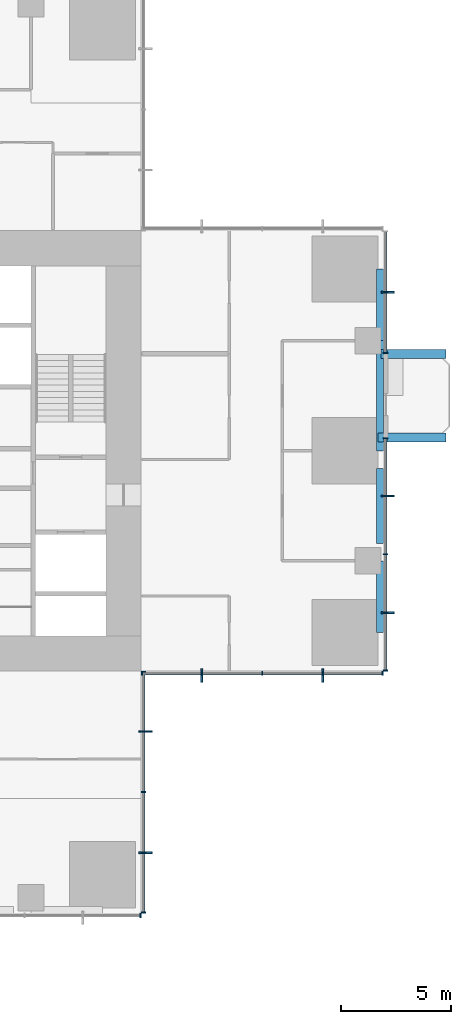
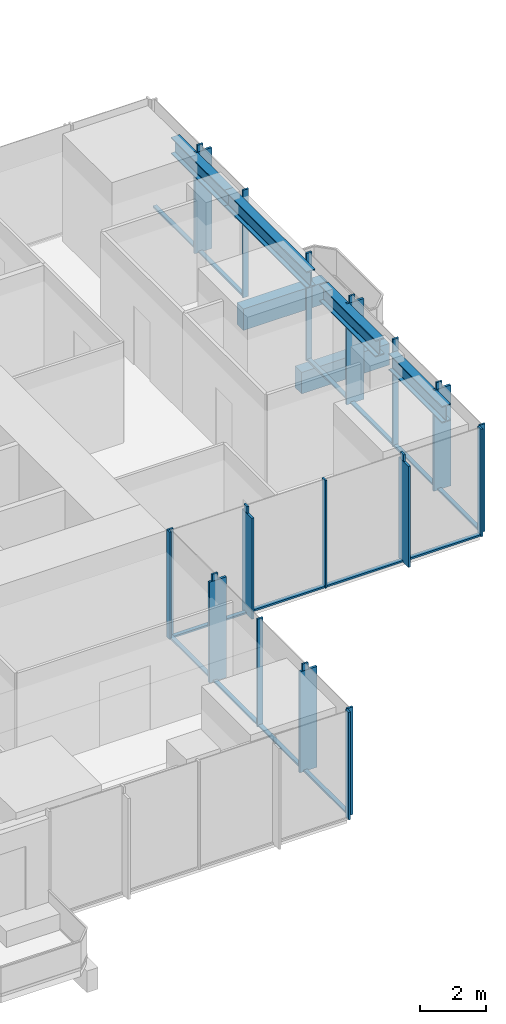
# One storey, part 4 of 14: 39 members, 6 beams, 5 elements without a shape of their own.
"""IFC4 building model written with IfcOpenShell, lengths in metres."""

from ifc_helpers import new_model, si_unit, direction, frame, origin, origin_2d, place, context, subcontext, project, spatial, rectangle, i_section, extrude, material, material_profile, profile_set, type_object, element, aggregate, save


model = new_model("IFC4")

# Units and contexts
model_context = context("Model", 3, precision=1e-05, world=origin(), true_north=direction((0.0, 1.0)))
body_context = subcontext(model_context, "Body", "Model", "MODEL_VIEW")
ifc_project = project(units=[si_unit("LENGTHUNIT", "METRE"), si_unit("AREAUNIT", "SQUARE_METRE"), si_unit("VOLUMEUNIT", "CUBIC_METRE"), si_unit("PLANEANGLEUNIT", "RADIAN"), si_unit("MASSUNIT", "GRAM", prefix="KILO")], contexts=[model_context])

# Site, building, storey
site_placement = place(None, origin())
site = spatial("IfcSite", under=ifc_project, at=site_placement, CompositionType="ELEMENT")
building_placement = place(site_placement, origin())
building = spatial("IfcBuilding", under=site, at=building_placement, Name="Svetlomir Tower", CompositionType="ELEMENT")
storey_placement = place(building_placement, frame((0.0, 0.0, 108.5)))
storey = spatial("IfcBuildingStorey", under=building, at=storey_placement, Name="L25", CompositionType="ELEMENT", Elevation=108.5)

# Beams
ifc_material_1 = material(Name="Concrete C60/75", Category="concrete")
ifc_material_profile_1 = material_profile(ifc_material_1, rectangle(XDim=0.39990234375, YDim=0.800048828125, at=origin_2d()), Name="RC 400x800")
ifc_profile_set_1 = profile_set([ifc_material_profile_1], Name="Concrete C60/75")
beam_type_1 = type_object("IfcBeamType", Name="BALCONY RIB RC 400x800", PredefinedType="BEAM", material=ifc_profile_set_1)
beam_1_placement = place(storey_placement, frame((41.75, 21.60009765625, -0.64990234375), z_axis=(1.0, 0.0, 0.0), x_axis=(0.0, 1.0, 0.0)))
element("IfcBeam", 1, at=beam_1_placement, inside=storey, type_object=beam_type_1, Name="Balcony rib E 1 L25", PredefinedType="BEAM", context=body_context, shape_type="SweptSolid", body=[
    extrude(rectangle(XDim=0.39990234375, YDim=0.800048828125, at=origin_2d()), origin(), (0.0, 0.0, 1.0), 3.10009765625),
])
beam_2_placement = place(storey_placement, frame((41.89990234375, 25.39990234375, -0.64990234375), z_axis=(1.0, 0.0, 0.0), x_axis=(0.0, 1.0, 0.0)))
element("IfcBeam", 2, at=beam_2_placement, inside=storey, type_object=beam_type_1, Name="Balcony rib E 2 L25", PredefinedType="BEAM", context=body_context, shape_type="SweptSolid", body=[
    extrude(rectangle(XDim=0.39990234375, YDim=0.800048828125, at=origin_2d()), origin(), (0.0, 0.0, 1.0), 2.9501953125),
])

# Curtain wall, members
ifc_material_2 = material(Name="Bronze anodised aluminium curtain wall", Category="aluminium")
curtain_wall_type = type_object("IfcCurtainWallType", Name="CURTAIN WALL CW1 TOWER OFFICE", PredefinedType="NOTDEFINED", material=ifc_material_2)
curtain_wall_1_placement = place(storey_placement, origin())
curtain_wall_1 = element("IfcCurtainWall", 3, at=curtain_wall_1_placement, inside=storey, type_object=curtain_wall_type, Name="Curtain wall CW1 L25", PredefinedType="NOTDEFINED")
ifc_material_3 = material(Name="Bronze anodised aluminium", Category="aluminium")
ifc_material_profile_2 = material_profile(ifc_material_3, rectangle(XDim=0.080078125, YDim=0.60009765625, at=origin_2d()), Name="FIN 80x600")
ifc_profile_set_2 = profile_set([ifc_material_profile_2], Name="Bronze anodised aluminium 6063-T6")
member_type_1 = type_object("IfcMemberType", Name="BRONZE FIN 80x600", PredefinedType="USERDEFINED", material=ifc_profile_set_2)
member_1_placement = place(storey_placement, frame((31.199951171875, 2.75, 0.0), z_axis=(0.0, 0.0, 1.0), x_axis=(0.0, 1.0, 0.0)))
member_1 = element("IfcMember", 4, at=member_1_placement, type_object=member_type_1, Name="Bronze fin L25", ObjectType="FIN", PredefinedType="USERDEFINED", context=body_context, shape_type="SweptSolid", body=[
    extrude(rectangle(XDim=0.080078125, YDim=0.60009765625, at=origin_2d()), origin(), (0.0, 0.0, 1.0), 3.75),
])
member_2_placement = place(storey_placement, frame((31.199951171875, 8.25, 0.0), z_axis=(0.0, 0.0, 1.0), x_axis=(0.0, 1.0, 0.0)))
member_2 = element("IfcMember", 5, at=member_2_placement, type_object=member_type_1, Name="Bronze fin L25", ObjectType="FIN", PredefinedType="USERDEFINED", context=body_context, shape_type="SweptSolid", body=[
    extrude(rectangle(XDim=0.080078125, YDim=0.60009765625, at=origin_2d()), origin(), (0.0, 0.0, 1.0), 3.75),
])

curtain_wall_2_placement = place(storey_placement, origin())
curtain_wall_2 = element("IfcCurtainWall", 6, at=curtain_wall_2_placement, inside=storey, type_object=curtain_wall_type, Name="Curtain wall CW1 L25", PredefinedType="NOTDEFINED")
member_3_placement = place(storey_placement, frame((33.75, 10.800048828125, 0.0), z_axis=(0.0, 0.0, 1.0), x_axis=(1.0, 0.0, 0.0)))
member_3 = element("IfcMember", 7, at=member_3_placement, type_object=member_type_1, Name="Bronze fin L25", ObjectType="FIN", PredefinedType="USERDEFINED", context=body_context, shape_type="SweptSolid", body=[
    extrude(rectangle(XDim=0.080078125, YDim=0.60009765625, at=origin_2d()), origin(), (0.0, 0.0, 1.0), 3.75),
])
member_4_placement = place(storey_placement, frame((39.25, 10.800048828125, 0.0), z_axis=(0.0, 0.0, 1.0), x_axis=(1.0, 0.0, 0.0)))
member_4 = element("IfcMember", 8, at=member_4_placement, type_object=member_type_1, Name="Bronze fin L25", ObjectType="FIN", PredefinedType="USERDEFINED", context=body_context, shape_type="SweptSolid", body=[
    extrude(rectangle(XDim=0.080078125, YDim=0.60009765625, at=origin_2d()), origin(), (0.0, 0.0, 1.0), 3.75),
])

curtain_wall_3_placement = place(storey_placement, origin())
curtain_wall_3 = element("IfcCurtainWall", 9, at=curtain_wall_3_placement, inside=storey, type_object=curtain_wall_type, Name="Curtain wall CW1 L25", PredefinedType="NOTDEFINED")
member_5_placement = place(storey_placement, frame((42.199951171875, 13.64990234375, 0.0), z_axis=(0.0, 0.0, 1.0), x_axis=(0.0, 1.0, 0.0)))
member_5 = element("IfcMember", 10, at=member_5_placement, type_object=member_type_1, Name="Bronze fin L25", ObjectType="FIN", PredefinedType="USERDEFINED", context=body_context, shape_type="SweptSolid", body=[
    extrude(rectangle(XDim=0.080078125, YDim=0.60009765625, at=origin_2d()), origin(), (0.0, 0.0, 1.0), 3.75),
])
member_6_placement = place(storey_placement, frame((42.199951171875, 18.949951171875, 0.0), z_axis=(0.0, 0.0, 1.0), x_axis=(0.0, 1.0, 0.0)))
member_6 = element("IfcMember", 11, at=member_6_placement, type_object=member_type_1, Name="Bronze fin L25", ObjectType="FIN", PredefinedType="USERDEFINED", context=body_context, shape_type="SweptSolid", body=[
    extrude(rectangle(XDim=0.080078125, YDim=0.60009765625, at=origin_2d()), origin(), (0.0, 0.0, 1.0), 3.75),
])

# Curtain wall, member
curtain_wall_4_placement = place(storey_placement, origin())
curtain_wall_4 = element("IfcCurtainWall", 12, at=curtain_wall_4_placement, inside=storey, type_object=curtain_wall_type, Name="Curtain wall CW1 L25", PredefinedType="NOTDEFINED")
member_7_placement = place(storey_placement, frame((42.199951171875, 28.199951171875, 0.0), z_axis=(0.0, 0.0, 1.0), x_axis=(0.0, 1.0, 0.0)))
member_7 = element("IfcMember", 13, at=member_7_placement, type_object=member_type_1, Name="Bronze fin L25", ObjectType="FIN", PredefinedType="USERDEFINED", context=body_context, shape_type="SweptSolid", body=[
    extrude(rectangle(XDim=0.080078125, YDim=0.60009765625, at=origin_2d()), origin(), (0.0, 0.0, 1.0), 3.75),
])

curtain_wall_5_placement = place(storey_placement, origin())
curtain_wall_5 = element("IfcCurtainWall", 14, at=curtain_wall_5_placement, inside=storey, type_object=curtain_wall_type, Name="Curtain wall CW1 L25", PredefinedType="NOTDEFINED")
ifc_material_4 = material(Name="Bronze anodised aluminium", Category="aluminium")
ifc_material_profile_3 = material_profile(ifc_material_4, rectangle(XDim=0.06494140625, YDim=0.199951171875, at=origin_2d()), Name="AL 65x200")
ifc_profile_set_3 = profile_set([ifc_material_profile_3], Name="Bronze anodised aluminium 6063-T6")
member_type_2 = type_object("IfcMemberType", Name="CW1 MULLION 65x200", PredefinedType="MULLION", material=ifc_profile_set_3)
member_8_placement = place(storey_placement, frame((30.967529296875, -0.10009765625, 0.0), z_axis=(0.0, 0.0, 1.0), x_axis=(1.0, 0.0, 0.0)))
member_8 = element("IfcMember", 15, at=member_8_placement, type_object=member_type_2, Name="CW1 mullion 5", PredefinedType="MULLION", context=body_context, shape_type="SweptSolid", body=[
    extrude(rectangle(XDim=0.06494140625, YDim=0.199951171875, at=origin_2d()), origin(), (0.0, 0.0, 1.0), 4.0),
])
aggregate(curtain_wall_5, [member_8])

# Member
member_9_placement = place(storey_placement, frame((31.10009765625, 0.032470703125, 0.0), z_axis=(0.0, 0.0, 1.0), x_axis=(0.0, 1.0, 0.0)))
member_9 = element("IfcMember", 16, at=member_9_placement, type_object=member_type_2, Name="CW1 mullion 1", PredefinedType="MULLION", context=body_context, shape_type="SweptSolid", body=[
    extrude(rectangle(XDim=0.06494140625, YDim=0.199951171875, at=origin_2d()), origin(), (0.0, 0.0, 1.0), 4.0),
])

member_10_placement = place(storey_placement, frame((31.10009765625, 2.75, 0.0), z_axis=(0.0, 0.0, 1.0), x_axis=(0.0, 1.0, 0.0)))
member_10 = element("IfcMember", 17, at=member_10_placement, type_object=member_type_2, Name="CW1 mullion 2", PredefinedType="MULLION", context=body_context, shape_type="SweptSolid", body=[
    extrude(rectangle(XDim=0.06494140625, YDim=0.199951171875, at=origin_2d()), origin(), (0.0, 0.0, 1.0), 4.0),
])

member_11_placement = place(storey_placement, frame((31.10009765625, 5.5, 0.0), z_axis=(0.0, 0.0, 1.0), x_axis=(0.0, 1.0, 0.0)))
member_11 = element("IfcMember", 18, at=member_11_placement, type_object=member_type_2, Name="CW1 mullion 3", PredefinedType="MULLION", context=body_context, shape_type="SweptSolid", body=[
    extrude(rectangle(XDim=0.06494140625, YDim=0.199951171875, at=origin_2d()), origin(), (0.0, 0.0, 1.0), 4.0),
])

member_12_placement = place(storey_placement, frame((31.10009765625, 8.25, 0.0), z_axis=(0.0, 0.0, 1.0), x_axis=(0.0, 1.0, 0.0)))
member_12 = element("IfcMember", 19, at=member_12_placement, type_object=member_type_2, Name="CW1 mullion 4", PredefinedType="MULLION", context=body_context, shape_type="SweptSolid", body=[
    extrude(rectangle(XDim=0.06494140625, YDim=0.199951171875, at=origin_2d()), origin(), (0.0, 0.0, 1.0), 4.0),
])

member_13_placement = place(storey_placement, frame((31.10009765625, 10.967529296875, 0.0), z_axis=(0.0, 0.0, 1.0), x_axis=(0.0, 1.0, 0.0)))
member_13 = element("IfcMember", 20, at=member_13_placement, type_object=member_type_2, Name="CW1 mullion 5", PredefinedType="MULLION", context=body_context, shape_type="SweptSolid", body=[
    extrude(rectangle(XDim=0.06494140625, YDim=0.199951171875, at=origin_2d()), origin(), (0.0, 0.0, 1.0), 4.0),
])

member_14_placement = place(storey_placement, frame((31.032470703125, 10.89990234375, 0.0), z_axis=(0.0, 0.0, 1.0), x_axis=(1.0, 0.0, 0.0)))
member_14 = element("IfcMember", 21, at=member_14_placement, type_object=member_type_2, Name="CW1 mullion 1", PredefinedType="MULLION", context=body_context, shape_type="SweptSolid", body=[
    extrude(rectangle(XDim=0.06494140625, YDim=0.199951171875, at=origin_2d()), origin(), (0.0, 0.0, 1.0), 4.0),
])

member_15_placement = place(storey_placement, frame((33.75, 10.89990234375, 0.0), z_axis=(0.0, 0.0, 1.0), x_axis=(1.0, 0.0, 0.0)))
member_15 = element("IfcMember", 22, at=member_15_placement, type_object=member_type_2, Name="CW1 mullion 2", PredefinedType="MULLION", context=body_context, shape_type="SweptSolid", body=[
    extrude(rectangle(XDim=0.06494140625, YDim=0.199951171875, at=origin_2d()), origin(), (0.0, 0.0, 1.0), 4.0),
])

member_16_placement = place(storey_placement, frame((36.5, 10.89990234375, 0.0), z_axis=(0.0, 0.0, 1.0), x_axis=(1.0, 0.0, 0.0)))
member_16 = element("IfcMember", 23, at=member_16_placement, type_object=member_type_2, Name="CW1 mullion 3", PredefinedType="MULLION", context=body_context, shape_type="SweptSolid", body=[
    extrude(rectangle(XDim=0.06494140625, YDim=0.199951171875, at=origin_2d()), origin(), (0.0, 0.0, 1.0), 4.0),
])

member_17_placement = place(storey_placement, frame((39.25, 10.89990234375, 0.0), z_axis=(0.0, 0.0, 1.0), x_axis=(1.0, 0.0, 0.0)))
member_17 = element("IfcMember", 24, at=member_17_placement, type_object=member_type_2, Name="CW1 mullion 4", PredefinedType="MULLION", context=body_context, shape_type="SweptSolid", body=[
    extrude(rectangle(XDim=0.06494140625, YDim=0.199951171875, at=origin_2d()), origin(), (0.0, 0.0, 1.0), 4.0),
])

member_18_placement = place(storey_placement, frame((41.967529296875, 10.89990234375, 0.0), z_axis=(0.0, 0.0, 1.0), x_axis=(1.0, 0.0, 0.0)))
member_18 = element("IfcMember", 25, at=member_18_placement, type_object=member_type_2, Name="CW1 mullion 5", PredefinedType="MULLION", context=body_context, shape_type="SweptSolid", body=[
    extrude(rectangle(XDim=0.06494140625, YDim=0.199951171875, at=origin_2d()), origin(), (0.0, 0.0, 1.0), 4.0),
])

member_19_placement = place(storey_placement, frame((42.10009765625, 11.032470703125, 0.0), z_axis=(0.0, 0.0, 1.0), x_axis=(0.0, 1.0, 0.0)))
member_19 = element("IfcMember", 26, at=member_19_placement, type_object=member_type_2, Name="CW1 mullion 1", PredefinedType="MULLION", context=body_context, shape_type="SweptSolid", body=[
    extrude(rectangle(XDim=0.06494140625, YDim=0.199951171875, at=origin_2d()), origin(), (0.0, 0.0, 1.0), 4.0),
])

member_20_placement = place(storey_placement, frame((42.10009765625, 13.64990234375, 0.0), z_axis=(0.0, 0.0, 1.0), x_axis=(0.0, 1.0, 0.0)))
member_20 = element("IfcMember", 27, at=member_20_placement, type_object=member_type_2, Name="CW1 mullion 2", PredefinedType="MULLION", context=body_context, shape_type="SweptSolid", body=[
    extrude(rectangle(XDim=0.06494140625, YDim=0.199951171875, at=origin_2d()), origin(), (0.0, 0.0, 1.0), 4.0),
])

member_21_placement = place(storey_placement, frame((42.10009765625, 16.300048828125, 0.0), z_axis=(0.0, 0.0, 1.0), x_axis=(0.0, 1.0, 0.0)))
member_21 = element("IfcMember", 28, at=member_21_placement, type_object=member_type_2, Name="CW1 mullion 3", PredefinedType="MULLION", context=body_context, shape_type="SweptSolid", body=[
    extrude(rectangle(XDim=0.06494140625, YDim=0.199951171875, at=origin_2d()), origin(), (0.0, 0.0, 1.0), 4.0),
])

member_22_placement = place(storey_placement, frame((42.10009765625, 18.949951171875, 0.0), z_axis=(0.0, 0.0, 1.0), x_axis=(0.0, 1.0, 0.0)))
member_22 = element("IfcMember", 29, at=member_22_placement, type_object=member_type_2, Name="CW1 mullion 4", PredefinedType="MULLION", context=body_context, shape_type="SweptSolid", body=[
    extrude(rectangle(XDim=0.06494140625, YDim=0.199951171875, at=origin_2d()), origin(), (0.0, 0.0, 1.0), 4.0),
])

member_23_placement = place(storey_placement, frame((42.10009765625, 21.5673828125, 0.0), z_axis=(0.0, 0.0, 1.0), x_axis=(0.0, 1.0, 0.0)))
member_23 = element("IfcMember", 30, at=member_23_placement, type_object=member_type_2, Name="CW1 mullion 5", PredefinedType="MULLION", context=body_context, shape_type="SweptSolid", body=[
    extrude(rectangle(XDim=0.06494140625, YDim=0.199951171875, at=origin_2d()), origin(), (0.0, 0.0, 1.0), 4.0),
])

member_24_placement = place(storey_placement, frame((42.10009765625, 25.4326171875, 0.0), z_axis=(0.0, 0.0, 1.0), x_axis=(0.0, 1.0, 0.0)))
member_24 = element("IfcMember", 31, at=member_24_placement, type_object=member_type_2, Name="CW1 mullion 1", PredefinedType="MULLION", context=body_context, shape_type="SweptSolid", body=[
    extrude(rectangle(XDim=0.06494140625, YDim=0.199951171875, at=origin_2d()), origin(), (0.0, 0.0, 1.0), 4.0),
])

member_25_placement = place(storey_placement, frame((42.10009765625, 28.199951171875, 0.0), z_axis=(0.0, 0.0, 1.0), x_axis=(0.0, 1.0, 0.0)))
member_25 = element("IfcMember", 32, at=member_25_placement, type_object=member_type_2, Name="CW1 mullion 2", PredefinedType="MULLION", context=body_context, shape_type="SweptSolid", body=[
    extrude(rectangle(XDim=0.06494140625, YDim=0.199951171875, at=origin_2d()), origin(), (0.0, 0.0, 1.0), 4.0),
])

ifc_material_5 = material(Name="Bronze anodised aluminium", Category="aluminium")
ifc_material_profile_4 = material_profile(ifc_material_5, rectangle(XDim=0.139892578125, YDim=0.06494140625, at=origin_2d()), Name="AL 140x65")
ifc_profile_set_4 = profile_set([ifc_material_profile_4], Name="Bronze anodised aluminium 6063-T6")
member_type_3 = type_object("IfcMemberType", Name="CW1 TRANSOM 65x140", PredefinedType="USERDEFINED", material=ifc_profile_set_4)
member_26_placement = place(storey_placement, frame((31.10009765625, 0.06494140625, 0.032470703125), z_axis=(0.0, 1.0, 0.0), x_axis=(-1.0, 0.0, 0.0)))
member_26 = element("IfcMember", 33, at=member_26_placement, type_object=member_type_3, Name="CW1 transom 1.1", ObjectType="TRANSOM", PredefinedType="USERDEFINED", context=body_context, shape_type="SweptSolid", body=[
    extrude(rectangle(XDim=0.139892578125, YDim=0.06494140625, at=origin_2d()), origin(), (0.0, 0.0, 1.0), 2.652587890625),
])

member_27_placement = place(storey_placement, frame((31.10009765625, 2.782470703125, 0.032470703125), z_axis=(0.0, 1.0, 0.0), x_axis=(-1.0, 0.0, 0.0)))
member_27 = element("IfcMember", 34, at=member_27_placement, type_object=member_type_3, Name="CW1 transom 2.1", ObjectType="TRANSOM", PredefinedType="USERDEFINED", context=body_context, shape_type="SweptSolid", body=[
    extrude(rectangle(XDim=0.139892578125, YDim=0.06494140625, at=origin_2d()), origin(), (0.0, 0.0, 1.0), 2.68505859375),
])

member_28_placement = place(storey_placement, frame((31.10009765625, 5.532470703125, 0.032470703125), z_axis=(0.0, 1.0, 0.0), x_axis=(-1.0, 0.0, 0.0)))
member_28 = element("IfcMember", 35, at=member_28_placement, type_object=member_type_3, Name="CW1 transom 3.1", ObjectType="TRANSOM", PredefinedType="USERDEFINED", context=body_context, shape_type="SweptSolid", body=[
    extrude(rectangle(XDim=0.139892578125, YDim=0.06494140625, at=origin_2d()), origin(), (0.0, 0.0, 1.0), 2.68505859375),
])

member_29_placement = place(storey_placement, frame((31.10009765625, 8.282470703125, 0.032470703125), z_axis=(0.0, 1.0, 0.0), x_axis=(-1.0, 0.0, 0.0)))
member_29 = element("IfcMember", 36, at=member_29_placement, type_object=member_type_3, Name="CW1 transom 4.1", ObjectType="TRANSOM", PredefinedType="USERDEFINED", context=body_context, shape_type="SweptSolid", body=[
    extrude(rectangle(XDim=0.139892578125, YDim=0.06494140625, at=origin_2d()), origin(), (0.0, 0.0, 1.0), 2.652587890625),
])

aggregate(curtain_wall_1, [member_9, member_10, member_11, member_12, member_13, member_26, member_27, member_28, member_29, member_1, member_2])

member_30_placement = place(storey_placement, frame((31.06494140625, 10.89990234375, 0.032470703125), z_axis=(1.0, 0.0, 0.0), x_axis=(0.0, 1.0, 0.0)))
member_30 = element("IfcMember", 37, at=member_30_placement, type_object=member_type_3, Name="CW1 transom 1.1", ObjectType="TRANSOM", PredefinedType="USERDEFINED", context=body_context, shape_type="SweptSolid", body=[
    extrude(rectangle(XDim=0.139892578125, YDim=0.06494140625, at=origin_2d()), origin(), (0.0, 0.0, 1.0), 2.652587890625),
])

member_31_placement = place(storey_placement, frame((33.782470703125, 10.89990234375, 0.032470703125), z_axis=(1.0, 0.0, 0.0), x_axis=(0.0, 1.0, 0.0)))
member_31 = element("IfcMember", 38, at=member_31_placement, type_object=member_type_3, Name="CW1 transom 2.1", ObjectType="TRANSOM", PredefinedType="USERDEFINED", context=body_context, shape_type="SweptSolid", body=[
    extrude(rectangle(XDim=0.139892578125, YDim=0.06494140625, at=origin_2d()), origin(), (0.0, 0.0, 1.0), 2.68505859375),
])

member_32_placement = place(storey_placement, frame((36.532470703125, 10.89990234375, 0.032470703125), z_axis=(1.0, 0.0, 0.0), x_axis=(0.0, 1.0, 0.0)))
member_32 = element("IfcMember", 39, at=member_32_placement, type_object=member_type_3, Name="CW1 transom 3.1", ObjectType="TRANSOM", PredefinedType="USERDEFINED", context=body_context, shape_type="SweptSolid", body=[
    extrude(rectangle(XDim=0.139892578125, YDim=0.06494140625, at=origin_2d()), origin(), (0.0, 0.0, 1.0), 2.68505859375),
])

member_33_placement = place(storey_placement, frame((39.282470703125, 10.89990234375, 0.032470703125), z_axis=(1.0, 0.0, 0.0), x_axis=(0.0, 1.0, 0.0)))
member_33 = element("IfcMember", 40, at=member_33_placement, type_object=member_type_3, Name="CW1 transom 4.1", ObjectType="TRANSOM", PredefinedType="USERDEFINED", context=body_context, shape_type="SweptSolid", body=[
    extrude(rectangle(XDim=0.139892578125, YDim=0.06494140625, at=origin_2d()), origin(), (0.0, 0.0, 1.0), 2.652587890625),
])

aggregate(curtain_wall_2, [member_14, member_15, member_16, member_17, member_18, member_30, member_31, member_32, member_33, member_3, member_4])

member_34_placement = place(storey_placement, frame((42.10009765625, 11.06494140625, 0.032470703125), z_axis=(0.0, 1.0, 0.0), x_axis=(-1.0, 0.0, 0.0)))
member_34 = element("IfcMember", 41, at=member_34_placement, type_object=member_type_3, Name="CW1 transom 1.1", ObjectType="TRANSOM", PredefinedType="USERDEFINED", context=body_context, shape_type="SweptSolid", body=[
    extrude(rectangle(XDim=0.139892578125, YDim=0.06494140625, at=origin_2d()), origin(), (0.0, 0.0, 1.0), 2.552490234375),
])

member_35_placement = place(storey_placement, frame((42.10009765625, 13.6826171875, 0.032470703125), z_axis=(0.0, 1.0, 0.0), x_axis=(-1.0, 0.0, 0.0)))
member_35 = element("IfcMember", 42, at=member_35_placement, type_object=member_type_3, Name="CW1 transom 2.1", ObjectType="TRANSOM", PredefinedType="USERDEFINED", context=body_context, shape_type="SweptSolid", body=[
    extrude(rectangle(XDim=0.139892578125, YDim=0.06494140625, at=origin_2d()), origin(), (0.0, 0.0, 1.0), 2.5849609375),
])

member_36_placement = place(storey_placement, frame((42.10009765625, 16.33251953125, 0.032470703125), z_axis=(0.0, 1.0, 0.0), x_axis=(-1.0, 0.0, 0.0)))
member_36 = element("IfcMember", 43, at=member_36_placement, type_object=member_type_3, Name="CW1 transom 3.1", ObjectType="TRANSOM", PredefinedType="USERDEFINED", context=body_context, shape_type="SweptSolid", body=[
    extrude(rectangle(XDim=0.139892578125, YDim=0.06494140625, at=origin_2d()), origin(), (0.0, 0.0, 1.0), 2.5849609375),
])

member_37_placement = place(storey_placement, frame((42.10009765625, 18.982421875, 0.032470703125), z_axis=(0.0, 1.0, 0.0), x_axis=(-1.0, 0.0, 0.0)))
member_37 = element("IfcMember", 44, at=member_37_placement, type_object=member_type_3, Name="CW1 transom 4.1", ObjectType="TRANSOM", PredefinedType="USERDEFINED", context=body_context, shape_type="SweptSolid", body=[
    extrude(rectangle(XDim=0.139892578125, YDim=0.06494140625, at=origin_2d()), origin(), (0.0, 0.0, 1.0), 2.552490234375),
])

aggregate(curtain_wall_3, [member_19, member_20, member_21, member_22, member_23, member_34, member_35, member_36, member_37, member_5, member_6])

member_38_placement = place(storey_placement, frame((42.10009765625, 25.465087890625, 0.032470703125), z_axis=(0.0, 1.0, 0.0), x_axis=(-1.0, 0.0, 0.0)))
member_38 = element("IfcMember", 45, at=member_38_placement, type_object=member_type_3, Name="CW1 transom 1.1", ObjectType="TRANSOM", PredefinedType="USERDEFINED", context=body_context, shape_type="SweptSolid", body=[
    extrude(rectangle(XDim=0.139892578125, YDim=0.06494140625, at=origin_2d()), origin(), (0.0, 0.0, 1.0), 2.702392578125),
])

member_39_placement = place(storey_placement, frame((42.10009765625, 28.232421875, 0.032470703125), z_axis=(0.0, 1.0, 0.0), x_axis=(-1.0, 0.0, 0.0)))
member_39 = element("IfcMember", 46, at=member_39_placement, type_object=member_type_3, Name="CW1 transom 2.1", ObjectType="TRANSOM", PredefinedType="USERDEFINED", context=body_context, shape_type="SweptSolid", body=[
    extrude(rectangle(XDim=0.139892578125, YDim=0.06494140625, at=origin_2d()), origin(), (0.0, 0.0, 1.0), 2.70263671875),
])

aggregate(curtain_wall_4, [member_24, member_25, member_38, member_39, member_7])

# Beams
ifc_material_6 = material(Name="Steel S355", Category="steel")
ifc_material_profile_5 = material_profile(ifc_material_6, i_section(OverallWidth=0.304931640625, OverallDepth=0.6201171875, WebThickness=0.02099609375, FlangeThickness=0.0400390625, FilletRadius=0.027099609375, at=origin_2d()), Name="HEM 600")
ifc_profile_set_5 = profile_set([ifc_material_profile_5], Name="Steel S355")
beam_type_2 = type_object("IfcBeamType", Name="EDGE BEAM HEM 600", PredefinedType="SPANDREL", material=ifc_profile_set_5)
beam_3_placement = place(storey_placement, frame((41.847412109375, 12.75, 3.43994140625), z_axis=(0.0, 1.0, 0.0), x_axis=(-1.0, 0.0, 0.0)))
element("IfcBeam", 47, at=beam_3_placement, inside=storey, type_object=beam_type_2, Name="Edge beam 42/11 to 42/16 under L26", PredefinedType="SPANDREL", context=body_context, shape_type="SweptSolid", body=[
    extrude(i_section(OverallWidth=0.304931640625, OverallDepth=0.6201171875, WebThickness=0.02099609375, FlangeThickness=0.0400390625, FilletRadius=0.027099609375, at=origin_2d()), origin(), (0.0, 0.0, 1.0), 3.25),
])
beam_4_placement = place(storey_placement, frame((41.847412109375, 16.800048828125, 3.43994140625), z_axis=(0.0, 1.0, 0.0), x_axis=(-1.0, 0.0, 0.0)))
element("IfcBeam", 48, at=beam_4_placement, inside=storey, type_object=beam_type_2, Name="Edge beam 42/16 to 42/21 under L26", PredefinedType="SPANDREL", context=body_context, shape_type="SweptSolid", body=[
    extrude(i_section(OverallWidth=0.304931640625, OverallDepth=0.6201171875, WebThickness=0.02099609375, FlangeThickness=0.0400390625, FilletRadius=0.027099609375, at=origin_2d()), origin(), (0.0, 0.0, 1.0), 3.39990234375),
])
beam_5_placement = place(storey_placement, frame((41.847412109375, 21.0, 3.43994140625), z_axis=(0.0, 1.0, 0.0), x_axis=(-1.0, 0.0, 0.0)))
element("IfcBeam", 49, at=beam_5_placement, inside=storey, type_object=beam_type_2, Name="Edge beam 42/21 to 42/26 under L26", PredefinedType="SPANDREL", context=body_context, shape_type="SweptSolid", body=[
    extrude(i_section(OverallWidth=0.304931640625, OverallDepth=0.6201171875, WebThickness=0.02099609375, FlangeThickness=0.0400390625, FilletRadius=0.027099609375, at=origin_2d()), origin(), (0.0, 0.0, 1.0), 5.0),
])
beam_6_placement = place(storey_placement, frame((41.847412109375, 26.0, 3.43994140625), z_axis=(0.0, 1.0, 0.0), x_axis=(-1.0, 0.0, 0.0)))
element("IfcBeam", 50, at=beam_6_placement, inside=storey, type_object=beam_type_2, Name="Edge beam 42/26 to 42/31 under L26", PredefinedType="SPANDREL", context=body_context, shape_type="SweptSolid", body=[
    extrude(i_section(OverallWidth=0.304931640625, OverallDepth=0.6201171875, WebThickness=0.02099609375, FlangeThickness=0.0400390625, FilletRadius=0.027099609375, at=origin_2d()), origin(), (0.0, 0.0, 1.0), 3.25),
])

save(model, "model.ifc")
